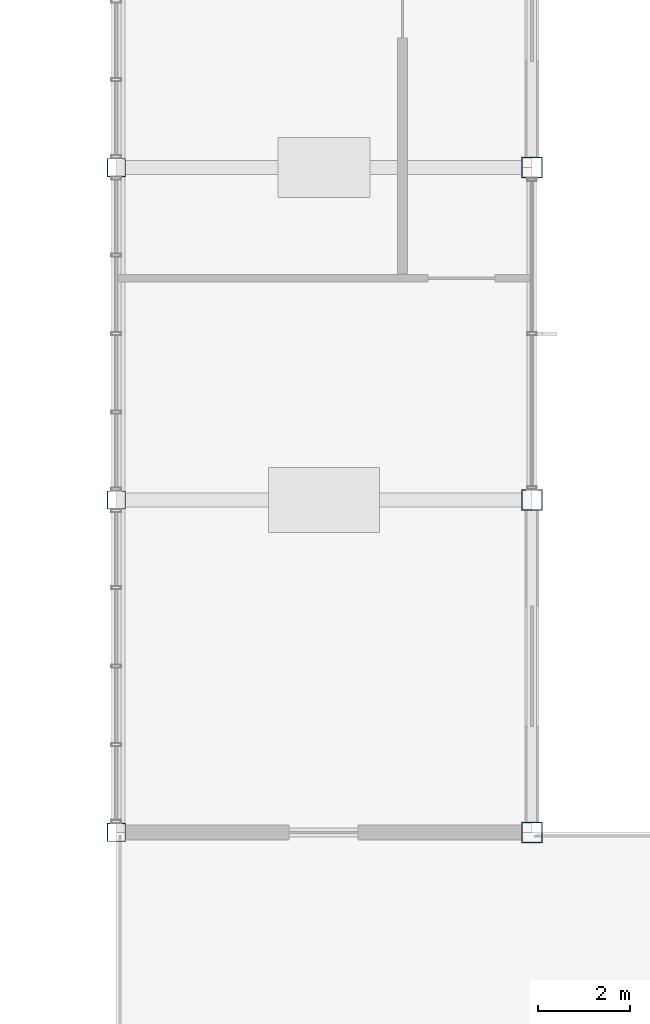
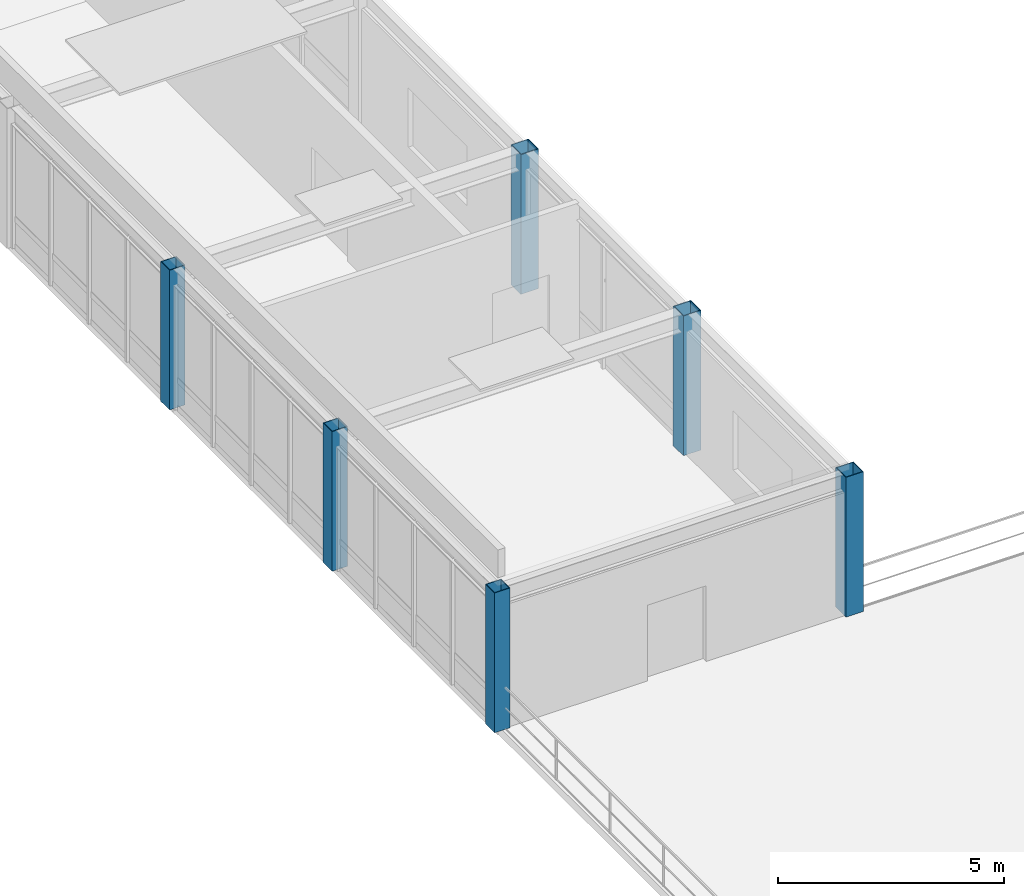
# One storey, part 1 of 106: 6 columns.
"""IFC4 building model written with IfcOpenShell, lengths in metres."""

from ifc_helpers import new_model, si_unit, direction, frame, origin, origin_2d, place, context, subcontext, project, spatial, hollow_rectangle, extrude, material, material_profile, profile_set, type_object, element, save


model = new_model("IFC4")

# Units and contexts
model_context = context("Model", 3, precision=1e-05, world=origin(), true_north=direction((0.0, 1.0)))
body_context = subcontext(model_context, "Body", "Model", "MODEL_VIEW")
ifc_project = project(units=[si_unit("LENGTHUNIT", "METRE"), si_unit("AREAUNIT", "SQUARE_METRE"), si_unit("VOLUMEUNIT", "CUBIC_METRE"), si_unit("PLANEANGLEUNIT", "RADIAN"), si_unit("MASSUNIT", "GRAM", prefix="KILO")], contexts=[model_context])

# Site, building, storey
site_placement = place(None, origin())
site = spatial("IfcSite", under=ifc_project, at=site_placement, CompositionType="ELEMENT")
building_placement = place(site_placement, origin())
building = spatial("IfcBuilding", under=site, at=building_placement, Name="Kazanami Central Library", CompositionType="ELEMENT")
storey_placement = place(building_placement, frame((0.0, 0.0, 12.800048828125)))
storey = spatial("IfcBuildingStorey", under=building, at=storey_placement, Name="L04", CompositionType="ELEMENT", Elevation=12.800048828125)

# Columns
ifc_material = material(Name="Steel BCP325 (325 MPa)", Category="steel")
ifc_material_profile_1 = material_profile(ifc_material, hollow_rectangle(XDim=0.39990234375, YDim=0.39990234375, WallThickness=0.01611328125, at=origin_2d()), Name="BCP-400x400x16")
ifc_profile_set_1 = profile_set([ifc_material_profile_1], Name="Steel BCP325 (325 MPa)")
column_type_1 = type_object("IfcColumnType", Name="COL-C-P3E", PredefinedType="COLUMN", material=ifc_profile_set_1)
for number, where, z_axis, x_axis, name in (
    (1, (45.0, 36.0, 0.0), (0.0, 0.0, 1.0), (1.0, 0.0, 0.0), "Column C-P3E L04 6/F"),
    (2, (45.0, 43.199951171875, 0.0), (0.0, 0.0, 1.0), (1.0, 0.0, 0.0), "Column C-P3E L04 6/G"),
    (3, (45.0, 50.39990234375, 0.0), (0.0, 0.0, 1.0), (1.0, 0.0, 0.0), "Column C-P3E L04 6/H"),
):
    element("IfcColumn", number, at=place(storey_placement, frame(where, z_axis=z_axis, x_axis=x_axis)), inside=storey, type_object=column_type_1, Name=name, PredefinedType="COLUMN", context=body_context, shape_type="SweptSolid", body=[
        extrude(hollow_rectangle(XDim=0.39990234375, YDim=0.39990234375, WallThickness=0.01611328125, at=origin_2d()), origin(), (0.0, 0.0, 1.0), 3.780029296875),
    ])
ifc_material_profile_2 = material_profile(ifc_material, hollow_rectangle(XDim=0.449951171875, YDim=0.449951171875, WallThickness=0.01904296875, at=origin_2d()), Name="BCP-450x450x19")
ifc_profile_set_2 = profile_set([ifc_material_profile_2], Name="Steel BCP325 (325 MPa)")
column_type_2 = type_object("IfcColumnType", Name="COL-C-P3I", PredefinedType="COLUMN", material=ifc_profile_set_2)
for number, where, z_axis, x_axis, name in (
    (4, (54.0, 36.0, 0.0), (0.0, 0.0, 1.0), (1.0, 0.0, 0.0), "Column C-P3I L04 7/F"),
    (5, (54.0, 43.199951171875, 0.0), (0.0, 0.0, 1.0), (1.0, 0.0, 0.0), "Column C-P3I L04 7/G"),
    (6, (54.0, 50.39990234375, 0.0), (0.0, 0.0, 1.0), (1.0, 0.0, 0.0), "Column C-P3I L04 7/H"),
):
    element("IfcColumn", number, at=place(storey_placement, frame(where, z_axis=z_axis, x_axis=x_axis)), inside=storey, type_object=column_type_2, Name=name, PredefinedType="COLUMN", context=body_context, shape_type="SweptSolid", body=[
        extrude(hollow_rectangle(XDim=0.449951171875, YDim=0.449951171875, WallThickness=0.01904296875, at=origin_2d()), origin(), (0.0, 0.0, 1.0), 3.780029296875),
    ])

save(model, "model.ifc")
